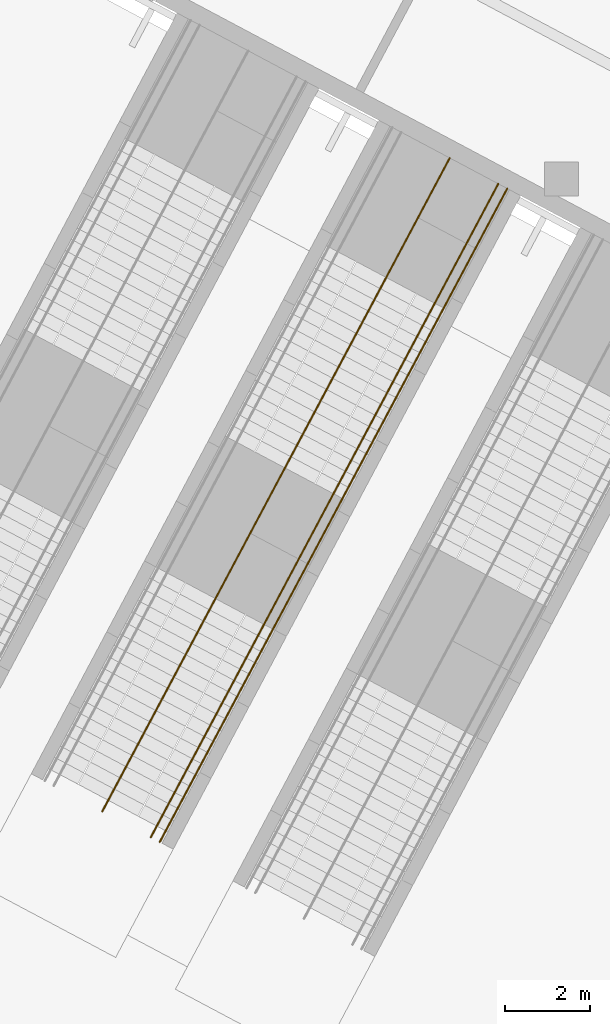
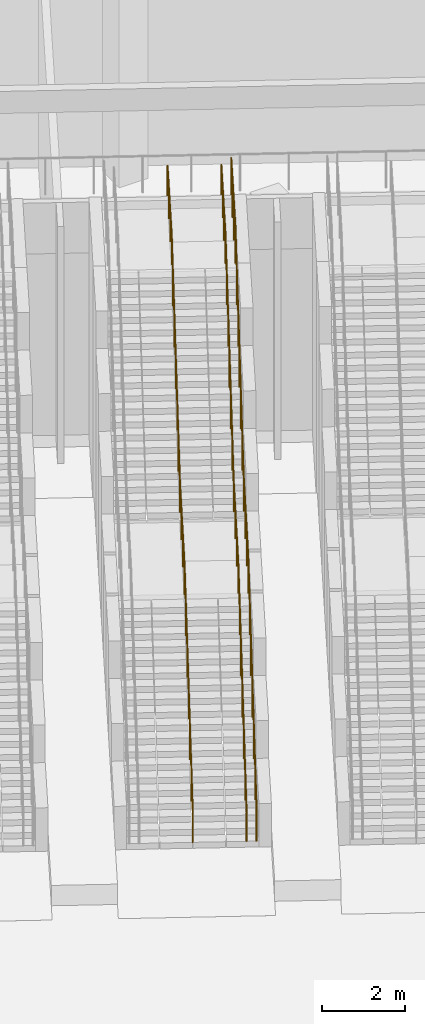
# One storey, part 37 of 57: 3 railings.
"""IFC4 building model written with IfcOpenShell, lengths in metres."""

import ifcopenshell
import ifcopenshell.guid

model = None  # the IFC model being written
_history = None  # IfcOwnerHistory: only IFC2X3 demands one
_inside = {}  # id of a spatial element -> (the spatial element, [elements in it])
_under = {}  # id of a project, library or spatial element -> (it, [spatial elements below it])
_declared = {}  # id of a project -> (the project, [libraries it declares])
_typed = {}  # id of a type object -> (the type object, [elements of that type])
_made_of = {}  # id of a material, layer set ... -> (it, [elements and type objects made of it])


def new_model(schema):
    """Start an empty IFC model of exactly this schema.

    Asked for "IFC4X3", IfcOpenShell would pick the latest addendum, in which some entities
    have other attributes; the version numbers below select the first issue.
    IFC2X3 requires an IfcOwnerHistory on every rooted entity: one is made here for all.
    """
    global model, _history
    if schema == "IFC4X3":
        model = ifcopenshell.file(schema_version=(4, 3, 0, 0))
    else:
        model = ifcopenshell.file(schema=schema)
    _inside.clear()
    _under.clear()
    _declared.clear()
    _typed.clear()
    _made_of.clear()
    _history = None
    if model.schema == "IFC2X3":
        org = make("IfcOrganization", Name="unknown")
        user = make(
            "IfcPersonAndOrganization",
            ThePerson=make("IfcPerson", FamilyName="unknown"),
            TheOrganization=org,
        )
        app = make(
            "IfcApplication",
            ApplicationDeveloper=org,
            Version="unknown",
            ApplicationFullName="unknown",
            ApplicationIdentifier="unknown",
        )
        _history = make(
            "IfcOwnerHistory",
            OwningUser=user,
            OwningApplication=app,
            ChangeAction="ADDED",
            CreationDate=0,
        )
    return model


def make(cls, **values):
    """One entity of the class cls with the attributes given. An attribute that is None is left unset."""
    return model.create_entity(
        cls, **{name: value for name, value in values.items() if value is not None}
    )


def rooted(cls, **values):
    """An entity with a GlobalId (a new one), such as an element, a storey or a relation."""
    return make(cls, GlobalId=ifcopenshell.guid.new(), OwnerHistory=_history, **values)


def si_unit(unit_type, name, prefix=None):
    """IfcSIUnit, for example si_unit("LENGTHUNIT", "METRE", prefix="MILLI")."""
    return make("IfcSIUnit", UnitType=unit_type, Prefix=prefix, Name=name)


def assignment(units):
    """IfcUnitAssignment: the units of a project."""
    return None if units is None else make("IfcUnitAssignment", Units=units)


def point(xyz):
    """IfcCartesianPoint."""
    return None if xyz is None else make("IfcCartesianPoint", Coordinates=xyz)


def direction(xyz):
    """IfcDirection."""
    return None if xyz is None else make("IfcDirection", DirectionRatios=xyz)


def frame(location, z_axis=None, x_axis=None):
    """IfcAxis2Placement3D, a coordinate frame: its origin and axes. An axis left out is left unset."""
    return make(
        "IfcAxis2Placement3D",
        Location=point(location),
        Axis=direction(z_axis),
        RefDirection=direction(x_axis),
    )


def origin():
    """The frame at (0, 0, 0) with its axes left unset."""
    return frame((0.0, 0.0, 0.0))


def place(relative_to, where):
    """IfcLocalPlacement: puts the frame where relative to a parent placement (None: the world)."""
    return make(
        "IfcLocalPlacement", PlacementRelTo=relative_to, RelativePlacement=where
    )


def context(
    kind, dimensions, precision=None, world=None, true_north=None, identifier=None
):
    """IfcGeometricRepresentationContext, for example the 3D "Model" context."""
    return make(
        "IfcGeometricRepresentationContext",
        ContextIdentifier=identifier,
        ContextType=kind,
        CoordinateSpaceDimension=dimensions,
        Precision=precision,
        WorldCoordinateSystem=world,
        TrueNorth=true_north,
    )


def subcontext(parent, identifier, kind, view, scale=None):
    """IfcGeometricRepresentationSubContext, for example "Body" below "Model"."""
    return make(
        "IfcGeometricRepresentationSubContext",
        ContextIdentifier=identifier,
        ContextType=kind,
        ParentContext=parent,
        TargetScale=scale,
        TargetView=view,
    )


def project(units=None, contexts=None):
    """IfcProject with its units and contexts."""
    return rooted(
        "IfcProject",
        Name="project",
        RepresentationContexts=contexts,
        UnitsInContext=assignment(units),
    )


def spatial(cls, under=None, at=None, **own):
    """A site, building, storey or space (cls), placed at a placement, below another one or the project."""
    s = rooted(cls, ObjectPlacement=at, **own)
    if under is not None:
        _under.setdefault(under.id(), (under, []))[1].append(s)
    return s


def polyline(points):
    """IfcPolyline through the points."""
    return make("IfcPolyline", Points=[point(p) for p in points])


def outline(outer, holes=None, kind="AREA"):
    """IfcArbitraryClosedProfileDef: a profile drawn as a closed curve; with holes, ...WithVoids."""
    if holes is None:
        return make("IfcArbitraryClosedProfileDef", ProfileType=kind, OuterCurve=outer)
    return make(
        "IfcArbitraryProfileDefWithVoids",
        ProfileType=kind,
        OuterCurve=outer,
        InnerCurves=holes,
    )


def extrude(swept, where, along, depth):
    """IfcExtrudedAreaSolid: the profile swept, set in the frame where, extruded along a direction by depth."""
    return make(
        "IfcExtrudedAreaSolid",
        SweptArea=swept,
        Position=where,
        ExtrudedDirection=direction(along),
        Depth=depth,
    )


def shape(context_of_items, identifier, shape_type, items):
    """IfcShapeRepresentation: the items that make up one representation, for example the "Body"."""
    return make(
        "IfcShapeRepresentation",
        ContextOfItems=context_of_items,
        RepresentationIdentifier=identifier,
        RepresentationType=shape_type,
        Items=items,
    )


def material(Name=None, Category=None):
    """IfcMaterial."""
    return make("IfcMaterial", Name=Name, Category=Category)


def made_of(thing, what):
    """Note that an element or type object is made of a material, layer set ...; save() writes the relation."""
    if what is not None:
        _made_of.setdefault(what.id(), (what, []))[1].append(thing)
    return thing


def type_object(cls, material=None, **own):
    """A type object (cls), such as IfcWallType, which elements share."""
    return made_of(rooted(cls, **own), material)


def element(
    cls,
    number,
    at=None,
    inside=None,
    cuts=None,
    type_object=None,
    material=None,
    context=None,
    identifier="Body",
    shape_type=None,
    held_by="IfcProductDefinitionShape",
    body=None,
    shapes=None,
    **own,
):
    """One element of the class cls, such as IfcWall. Its Tag is "e" and its number.

    at: its placement. inside: the storey or other place that contains it. cuts: it is an
    opening in that element (IfcRelVoidsElement). A single representation is given by context,
    identifier, shape_type and body (its items); several are given by shapes. held_by: the class
    of the entity that holds the representations. save() writes the other relations.
    """
    e = rooted(cls, Tag="e%d" % number, ObjectPlacement=at, **own)
    if body is not None:
        shapes = [shape(context, identifier, shape_type, body)]
    if shapes is not None:
        e.Representation = make(held_by, Representations=shapes)
    if inside is not None:
        _inside.setdefault(inside.id(), (inside, []))[1].append(e)
    if cuts is not None:
        rooted(
            "IfcRelVoidsElement", RelatingBuildingElement=cuts, RelatedOpeningElement=e
        )
    if type_object is not None:
        _typed.setdefault(type_object.id(), (type_object, []))[1].append(e)
    return made_of(e, material)


def aggregate(whole, parts):
    """IfcRelAggregates: a whole, such as a stair, and the parts it consists of."""
    return rooted("IfcRelAggregates", RelatingObject=whole, RelatedObjects=parts)


def save(model, path):
    """Write the relations noted so far, then the file.

    IfcRelAggregates (storeys below a building ...), IfcRelContainedInSpatialStructure (elements
    in a storey), IfcRelDefinesByType, IfcRelAssociatesMaterial and IfcRelDeclares: one each for
    every whole, place, type object, material and project.
    """
    for whole, parts in _under.values():
        aggregate(whole, parts)
    for where, things in _inside.values():
        rooted(
            "IfcRelContainedInSpatialStructure",
            RelatedElements=things,
            RelatingStructure=where,
        )
    for kind, things in _typed.values():
        rooted("IfcRelDefinesByType", RelatedObjects=things, RelatingType=kind)
    for what, things in _made_of.values():
        rooted("IfcRelAssociatesMaterial", RelatedObjects=things, RelatingMaterial=what)
    for by, libraries in _declared.values():
        rooted("IfcRelDeclares", RelatingContext=by, RelatedDefinitions=libraries)
    model.write(path)


model = new_model("IFC4")

# Units and contexts
model_context = context("Model", 3, precision=1e-05, world=origin(), true_north=direction((0.0, 1.0)))
body_context = subcontext(model_context, "Body", "Model", "MODEL_VIEW")
ifc_project = project(units=[si_unit("LENGTHUNIT", "METRE"), si_unit("AREAUNIT", "SQUARE_METRE"), si_unit("VOLUMEUNIT", "CUBIC_METRE"), si_unit("PLANEANGLEUNIT", "RADIAN"), si_unit("MASSUNIT", "GRAM", prefix="KILO")], contexts=[model_context])

# Site, building, storey
site_placement = place(None, origin())
site = spatial("IfcSite", under=ifc_project, at=site_placement, CompositionType="ELEMENT")
building_placement = place(site_placement, origin())
building = spatial("IfcBuilding", under=site, at=building_placement, Name="Cormorant Relay Tower", CompositionType="ELEMENT")
storey_placement = place(building_placement, origin())
storey = spatial("IfcBuildingStorey", under=building, at=storey_placement, Name="L00", CompositionType="ELEMENT", Elevation=0.0)

# Railings
ifc_material_1 = material(Name="Stainless steel 316", Category="steel")
railing_type_1 = type_object("IfcRailingType", Name="Podium stair handrail 900", PredefinedType="HANDRAIL", material=ifc_material_1)
railing_1_placement = place(storey_placement, frame((-31.13037109375, -20.822509765625, 7.0)))
element("IfcRailing", 1, at=railing_1_placement, inside=storey, type_object=railing_type_1, Name="Stair handrail", PredefinedType="HANDRAIL", context=body_context, shape_type="SweptSolid", body=[
    extrude(outline(polyline([(0.022216796875, 0.00927734375), (0.00927734375, 0.022216796875), (-0.00927734375, 0.022216796875), (-0.022216796875, 0.00927734375), (-0.022216796875, -0.00927734375), (-0.00927734375, -0.022216796875), (0.00927734375, -0.022216796875), (0.022216796875, -0.00927734375), (0.022216796875, 0.00927734375)])), frame((0.0, 0.0, 0.8759765625), z_axis=(-0.469499880774, -0.882932535335, 0.0), x_axis=(0.882932535335, -0.469499880774, 0.0)), (0.0, 0.0, 1.0), 2.900146484375),
    extrude(outline(polyline([(0.022216796875, 0.00927734375), (0.00927734375, 0.022216796875), (-0.00927734375, 0.022216796875), (-0.022216796875, 0.00927734375), (-0.022216796875, -0.00927734375), (-0.00927734375, -0.022216796875), (0.00927734375, -0.022216796875), (0.022216796875, -0.00927734375), (0.022216796875, 0.00927734375)])), frame((-1.361572265625, -2.560546875, 0.8759765625), z_axis=(-0.40552993965, -0.762667108471, -0.50386937762), x_axis=(0.882941524652, -0.469482975245, 0.0)), (0.0, 0.0, 1.0), 6.598876953125),
    extrude(outline(polyline([(0.022216796875, 0.00927734375), (0.00927734375, 0.022216796875), (-0.00927734375, 0.022216796875), (-0.022216796875, 0.00927734375), (-0.022216796875, -0.00927734375), (-0.00927734375, -0.022216796875), (0.00927734375, -0.022216796875), (0.022216796875, -0.00927734375), (0.022216796875, 0.00927734375)])), frame((-4.03759765625, -7.59326171875, -2.44921875), z_axis=(-0.468742586737, -0.881644394004, -0.054621881146), x_axis=(0.88296255937, -0.469443413791, 0.0)), (0.0, 0.0, 1.0), 3.204833984375),
    extrude(outline(polyline([(0.022216796875, 0.00927734375), (0.00927734375, 0.022216796875), (-0.00927734375, 0.022216796875), (-0.022216796875, 0.00927734375), (-0.022216796875, -0.00927734375), (-0.00927734375, -0.022216796875), (0.00927734375, -0.022216796875), (0.022216796875, -0.00927734375), (0.022216796875, 0.00927734375)])), frame((-5.539794921875, -10.418701171875, -2.6240234375), z_axis=(-0.40552993965, -0.762667108471, -0.50386937762), x_axis=(0.882941524652, -0.469482975245, 0.0)), (0.0, 0.0, 1.0), 6.598876953125),
    extrude(outline(polyline([(0.019287109375, 0.008056640625), (0.008056640625, 0.019287109375), (-0.008056640625, 0.019287109375), (-0.019287109375, 0.008056640625), (-0.019287109375, -0.008056640625), (-0.008056640625, -0.019287109375), (0.008056640625, -0.019287109375), (0.019287109375, -0.008056640625), (0.019287109375, 0.008056640625)])), origin(), (0.0, 0.0, 1.0), 0.851806640625),
    extrude(outline(polyline([(0.019287109375, 0.008056640625), (0.008056640625, 0.019287109375), (-0.008056640625, 0.019287109375), (-0.019287109375, 0.008056640625), (-0.019287109375, -0.008056640625), (-0.008056640625, -0.019287109375), (0.008056640625, -0.019287109375), (0.019287109375, -0.008056640625), (0.019287109375, 0.008056640625)])), frame((-0.453857421875, -0.853515625, 0.0)), (0.0, 0.0, 1.0), 0.851806640625),
    extrude(outline(polyline([(0.019287109375, 0.008056640625), (0.008056640625, 0.019287109375), (-0.008056640625, 0.019287109375), (-0.019287109375, 0.008056640625), (-0.019287109375, -0.008056640625), (-0.008056640625, -0.019287109375), (0.008056640625, -0.019287109375), (0.019287109375, -0.008056640625), (0.019287109375, 0.008056640625)])), frame((-0.90771484375, -1.70703125, 0.0)), (0.0, 0.0, 1.0), 0.851806640625),
    extrude(outline(polyline([(0.019287109375, 0.008056640625), (0.008056640625, 0.019287109375), (-0.008056640625, 0.019287109375), (-0.019287109375, 0.008056640625), (-0.019287109375, -0.008056640625), (-0.008056640625, -0.019287109375), (0.008056640625, -0.019287109375), (0.019287109375, -0.008056640625), (0.019287109375, 0.008056640625)])), frame((-1.361572265625, -2.560546875, 0.0)), (0.0, 0.0, 1.0), 0.851806640625),
    extrude(outline(polyline([(0.019287109375, 0.008056640625), (0.008056640625, 0.019287109375), (-0.008056640625, 0.019287109375), (-0.019287109375, 0.008056640625), (-0.019287109375, -0.008056640625), (-0.008056640625, -0.019287109375), (0.008056640625, -0.019287109375), (0.019287109375, -0.008056640625), (0.019287109375, 0.008056640625)])), frame((-1.8076171875, -3.3994140625, -0.55419921875)), (0.0, 0.0, 1.0), 0.851806640625),
    extrude(outline(polyline([(0.019287109375, 0.008056640625), (0.008056640625, 0.019287109375), (-0.008056640625, 0.019287109375), (-0.019287109375, 0.008056640625), (-0.019287109375, -0.008056640625), (-0.008056640625, -0.019287109375), (0.008056640625, -0.019287109375), (0.019287109375, -0.008056640625), (0.019287109375, 0.008056640625)])), frame((-2.253662109375, -4.238037109375, -1.1083984375)), (0.0, 0.0, 1.0), 0.851806640625),
    extrude(outline(polyline([(0.019287109375, 0.008056640625), (0.008056640625, 0.019287109375), (-0.008056640625, 0.019287109375), (-0.019287109375, 0.008056640625), (-0.019287109375, -0.008056640625), (-0.008056640625, -0.019287109375), (0.008056640625, -0.019287109375), (0.019287109375, -0.008056640625), (0.019287109375, 0.008056640625)])), frame((-2.69970703125, -5.076904296875, -1.66259765625)), (0.0, 0.0, 1.0), 0.851806640625),
    extrude(outline(polyline([(0.019287109375, 0.008056640625), (0.008056640625, 0.019287109375), (-0.008056640625, 0.019287109375), (-0.019287109375, 0.008056640625), (-0.019287109375, -0.008056640625), (-0.008056640625, -0.019287109375), (0.008056640625, -0.019287109375), (0.019287109375, -0.008056640625), (0.019287109375, 0.008056640625)])), frame((-3.1455078125, -5.915771484375, -2.216552734375)), (0.0, 0.0, 1.0), 0.851806640625),
    extrude(outline(polyline([(0.019287109375, 0.008056640625), (0.008056640625, 0.019287109375), (-0.008056640625, 0.019287109375), (-0.019287109375, 0.008056640625), (-0.019287109375, -0.008056640625), (-0.008056640625, -0.019287109375), (0.008056640625, -0.019287109375), (0.019287109375, -0.008056640625), (0.019287109375, 0.008056640625)])), frame((-3.591552734375, -6.75439453125, -2.770751953125)), (0.0, 0.0, 1.0), 0.851806640625),
    extrude(outline(polyline([(0.019287109375, 0.008056640625), (0.008056640625, 0.019287109375), (-0.008056640625, 0.019287109375), (-0.019287109375, 0.008056640625), (-0.019287109375, -0.008056640625), (-0.008056640625, -0.019287109375), (0.008056640625, -0.019287109375), (0.019287109375, -0.008056640625), (0.019287109375, 0.008056640625)])), frame((-4.03759765625, -7.59326171875, -3.324951171875)), (0.0, 0.0, 1.0), 0.851806640625),
    extrude(outline(polyline([(0.019287109375, 0.008056640625), (0.008056640625, 0.019287109375), (-0.008056640625, 0.019287109375), (-0.019287109375, 0.008056640625), (-0.019287109375, -0.008056640625), (-0.008056640625, -0.019287109375), (0.008056640625, -0.019287109375), (0.019287109375, -0.008056640625), (0.019287109375, 0.008056640625)])), frame((-4.538330078125, -8.53515625, -3.38330078125)), (0.0, 0.0, 1.0), 0.851806640625),
    extrude(outline(polyline([(0.019287109375, 0.008056640625), (0.008056640625, 0.019287109375), (-0.008056640625, 0.019287109375), (-0.019287109375, 0.008056640625), (-0.019287109375, -0.008056640625), (-0.008056640625, -0.019287109375), (0.008056640625, -0.019287109375), (0.019287109375, -0.008056640625), (0.019287109375, 0.008056640625)])), frame((-5.0390625, -9.476806640625, -3.441650390625)), (0.0, 0.0, 1.0), 0.851806640625),
    extrude(outline(polyline([(0.019287109375, 0.008056640625), (0.008056640625, 0.019287109375), (-0.008056640625, 0.019287109375), (-0.019287109375, 0.008056640625), (-0.019287109375, -0.008056640625), (-0.008056640625, -0.019287109375), (0.008056640625, -0.019287109375), (0.019287109375, -0.008056640625), (0.019287109375, 0.008056640625)])), frame((-5.539794921875, -10.418701171875, -3.5)), (0.0, 0.0, 1.0), 0.851806640625),
    extrude(outline(polyline([(0.019287109375, 0.008056640625), (0.008056640625, 0.019287109375), (-0.008056640625, 0.019287109375), (-0.019287109375, 0.008056640625), (-0.019287109375, -0.008056640625), (-0.008056640625, -0.019287109375), (0.008056640625, -0.019287109375), (0.019287109375, -0.008056640625), (0.019287109375, 0.008056640625)])), frame((-5.98583984375, -11.257568359375, -4.05419921875)), (0.0, 0.0, 1.0), 0.851806640625),
    extrude(outline(polyline([(0.019287109375, 0.008056640625), (0.008056640625, 0.019287109375), (-0.008056640625, 0.019287109375), (-0.019287109375, 0.008056640625), (-0.019287109375, -0.008056640625), (-0.008056640625, -0.019287109375), (0.008056640625, -0.019287109375), (0.019287109375, -0.008056640625), (0.019287109375, 0.008056640625)])), frame((-6.431884765625, -12.09619140625, -4.6083984375)), (0.0, 0.0, 1.0), 0.851806640625),
    extrude(outline(polyline([(0.019287109375, 0.008056640625), (0.008056640625, 0.019287109375), (-0.008056640625, 0.019287109375), (-0.019287109375, 0.008056640625), (-0.019287109375, -0.008056640625), (-0.008056640625, -0.019287109375), (0.008056640625, -0.019287109375), (0.019287109375, -0.008056640625), (0.019287109375, 0.008056640625)])), frame((-6.8779296875, -12.93505859375, -5.16259765625)), (0.0, 0.0, 1.0), 0.851806640625),
    extrude(outline(polyline([(0.019287109375, 0.008056640625), (0.008056640625, 0.019287109375), (-0.008056640625, 0.019287109375), (-0.019287109375, 0.008056640625), (-0.019287109375, -0.008056640625), (-0.008056640625, -0.019287109375), (0.008056640625, -0.019287109375), (0.019287109375, -0.008056640625), (0.019287109375, 0.008056640625)])), frame((-7.32373046875, -13.77392578125, -5.716552734375)), (0.0, 0.0, 1.0), 0.851806640625),
    extrude(outline(polyline([(0.019287109375, 0.008056640625), (0.008056640625, 0.019287109375), (-0.008056640625, 0.019287109375), (-0.019287109375, 0.008056640625), (-0.019287109375, -0.008056640625), (-0.008056640625, -0.019287109375), (0.008056640625, -0.019287109375), (0.019287109375, -0.008056640625), (0.019287109375, 0.008056640625)])), frame((-7.769775390625, -14.612548828125, -6.270751953125)), (0.0, 0.0, 1.0), 0.851806640625),
    extrude(outline(polyline([(0.019287109375, 0.008056640625), (0.008056640625, 0.019287109375), (-0.008056640625, 0.019287109375), (-0.019287109375, 0.008056640625), (-0.019287109375, -0.008056640625), (-0.008056640625, -0.019287109375), (0.008056640625, -0.019287109375), (0.019287109375, -0.008056640625), (0.019287109375, 0.008056640625)])), frame((-8.2158203125, -15.451416015625, -6.824951171875)), (0.0, 0.0, 1.0), 0.851806640625),
])
railing_2_placement = place(storey_placement, frame((-29.982666015625, -21.432861328125, 7.0)))
element("IfcRailing", 2, at=railing_2_placement, inside=storey, type_object=railing_type_1, Name="Stair handrail", PredefinedType="HANDRAIL", context=body_context, shape_type="SweptSolid", body=[
    extrude(outline(polyline([(0.022216796875, 0.00927734375), (0.00927734375, 0.022216796875), (-0.00927734375, 0.022216796875), (-0.022216796875, 0.00927734375), (-0.022216796875, -0.00927734375), (-0.00927734375, -0.022216796875), (0.00927734375, -0.022216796875), (0.022216796875, -0.00927734375), (0.022216796875, 0.00927734375)])), frame((0.0, 0.0, 0.8759765625), z_axis=(-0.469434248776, -0.882967432059, 0.0), x_axis=(0.882967432059, -0.469434248776, 0.0)), (0.0, 0.0, 1.0), 2.89990234375),
    extrude(outline(polyline([(0.022216796875, 0.00927734375), (0.00927734375, 0.022216796875), (-0.00927734375, 0.022216796875), (-0.022216796875, 0.00927734375), (-0.022216796875, -0.00927734375), (-0.00927734375, -0.022216796875), (0.00927734375, -0.022216796875), (0.022216796875, -0.00927734375), (0.022216796875, 0.00927734375)])), frame((-1.361328125, -2.560546875, 0.8759765625), z_axis=(-0.40552993965, -0.762667108471, -0.50386937762), x_axis=(0.882941524652, -0.469482975245, 0.0)), (0.0, 0.0, 1.0), 6.598876953125),
    extrude(outline(polyline([(0.022216796875, 0.00927734375), (0.00927734375, 0.022216796875), (-0.00927734375, 0.022216796875), (-0.022216796875, 0.00927734375), (-0.022216796875, -0.00927734375), (-0.00927734375, -0.022216796875), (0.00927734375, -0.022216796875), (0.022216796875, -0.00927734375), (0.022216796875, 0.00927734375)])), frame((-4.037353515625, -7.59326171875, -2.44921875), z_axis=(-0.468802026207, -0.881612910187, -0.05461993058), x_axis=(0.88293093413, -0.469502891958, 0.0)), (0.0, 0.0, 1.0), 3.204833984375),
    extrude(outline(polyline([(0.022216796875, 0.00927734375), (0.00927734375, 0.022216796875), (-0.00927734375, 0.022216796875), (-0.022216796875, 0.00927734375), (-0.022216796875, -0.00927734375), (-0.00927734375, -0.022216796875), (0.00927734375, -0.022216796875), (0.022216796875, -0.00927734375), (0.022216796875, 0.00927734375)])), frame((-5.539794921875, -10.418701171875, -2.6240234375), z_axis=(-0.4055184971, -0.762682585322, -0.503855160296), x_axis=(0.882950964929, -0.46946522079, 0.0)), (0.0, 0.0, 1.0), 6.59912109375),
    extrude(outline(polyline([(0.019287109375, 0.008056640625), (0.008056640625, 0.019287109375), (-0.008056640625, 0.019287109375), (-0.019287109375, 0.008056640625), (-0.019287109375, -0.008056640625), (-0.008056640625, -0.019287109375), (0.008056640625, -0.019287109375), (0.019287109375, -0.008056640625), (0.019287109375, 0.008056640625)])), origin(), (0.0, 0.0, 1.0), 0.851806640625),
    extrude(outline(polyline([(0.019287109375, 0.008056640625), (0.008056640625, 0.019287109375), (-0.008056640625, 0.019287109375), (-0.019287109375, 0.008056640625), (-0.019287109375, -0.008056640625), (-0.008056640625, -0.019287109375), (0.008056640625, -0.019287109375), (0.019287109375, -0.008056640625), (0.019287109375, 0.008056640625)])), frame((-0.453857421875, -0.853515625, 0.0)), (0.0, 0.0, 1.0), 0.851806640625),
    extrude(outline(polyline([(0.019287109375, 0.008056640625), (0.008056640625, 0.019287109375), (-0.008056640625, 0.019287109375), (-0.019287109375, 0.008056640625), (-0.019287109375, -0.008056640625), (-0.008056640625, -0.019287109375), (0.008056640625, -0.019287109375), (0.019287109375, -0.008056640625), (0.019287109375, 0.008056640625)])), frame((-0.907470703125, -1.70703125, 0.0)), (0.0, 0.0, 1.0), 0.851806640625),
    extrude(outline(polyline([(0.019287109375, 0.008056640625), (0.008056640625, 0.019287109375), (-0.008056640625, 0.019287109375), (-0.019287109375, 0.008056640625), (-0.019287109375, -0.008056640625), (-0.008056640625, -0.019287109375), (0.008056640625, -0.019287109375), (0.019287109375, -0.008056640625), (0.019287109375, 0.008056640625)])), frame((-1.361328125, -2.560546875, 0.0)), (0.0, 0.0, 1.0), 0.851806640625),
    extrude(outline(polyline([(0.019287109375, 0.008056640625), (0.008056640625, 0.019287109375), (-0.008056640625, 0.019287109375), (-0.019287109375, 0.008056640625), (-0.019287109375, -0.008056640625), (-0.008056640625, -0.019287109375), (0.008056640625, -0.019287109375), (0.019287109375, -0.008056640625), (0.019287109375, 0.008056640625)])), frame((-1.807373046875, -3.3994140625, -0.55419921875)), (0.0, 0.0, 1.0), 0.851806640625),
    extrude(outline(polyline([(0.019287109375, 0.008056640625), (0.008056640625, 0.019287109375), (-0.008056640625, 0.019287109375), (-0.019287109375, 0.008056640625), (-0.019287109375, -0.008056640625), (-0.008056640625, -0.019287109375), (0.008056640625, -0.019287109375), (0.019287109375, -0.008056640625), (0.019287109375, 0.008056640625)])), frame((-2.25341796875, -4.238037109375, -1.1083984375)), (0.0, 0.0, 1.0), 0.851806640625),
    extrude(outline(polyline([(0.019287109375, 0.008056640625), (0.008056640625, 0.019287109375), (-0.008056640625, 0.019287109375), (-0.019287109375, 0.008056640625), (-0.019287109375, -0.008056640625), (-0.008056640625, -0.019287109375), (0.008056640625, -0.019287109375), (0.019287109375, -0.008056640625), (0.019287109375, 0.008056640625)])), frame((-2.69921875, -5.076904296875, -1.66259765625)), (0.0, 0.0, 1.0), 0.851806640625),
    extrude(outline(polyline([(0.019287109375, 0.008056640625), (0.008056640625, 0.019287109375), (-0.008056640625, 0.019287109375), (-0.019287109375, 0.008056640625), (-0.019287109375, -0.008056640625), (-0.008056640625, -0.019287109375), (0.008056640625, -0.019287109375), (0.019287109375, -0.008056640625), (0.019287109375, 0.008056640625)])), frame((-3.145263671875, -5.915771484375, -2.216552734375)), (0.0, 0.0, 1.0), 0.851806640625),
    extrude(outline(polyline([(0.019287109375, 0.008056640625), (0.008056640625, 0.019287109375), (-0.008056640625, 0.019287109375), (-0.019287109375, 0.008056640625), (-0.019287109375, -0.008056640625), (-0.008056640625, -0.019287109375), (0.008056640625, -0.019287109375), (0.019287109375, -0.008056640625), (0.019287109375, 0.008056640625)])), frame((-3.59130859375, -6.75439453125, -2.770751953125)), (0.0, 0.0, 1.0), 0.851806640625),
    extrude(outline(polyline([(0.019287109375, 0.008056640625), (0.008056640625, 0.019287109375), (-0.008056640625, 0.019287109375), (-0.019287109375, 0.008056640625), (-0.019287109375, -0.008056640625), (-0.008056640625, -0.019287109375), (0.008056640625, -0.019287109375), (0.019287109375, -0.008056640625), (0.019287109375, 0.008056640625)])), frame((-4.037353515625, -7.59326171875, -3.324951171875)), (0.0, 0.0, 1.0), 0.851806640625),
    extrude(outline(polyline([(0.019287109375, 0.008056640625), (0.008056640625, 0.019287109375), (-0.008056640625, 0.019287109375), (-0.019287109375, 0.008056640625), (-0.019287109375, -0.008056640625), (-0.008056640625, -0.019287109375), (0.008056640625, -0.019287109375), (0.019287109375, -0.008056640625), (0.019287109375, 0.008056640625)])), frame((-4.5380859375, -8.53515625, -3.38330078125)), (0.0, 0.0, 1.0), 0.851806640625),
    extrude(outline(polyline([(0.019287109375, 0.008056640625), (0.008056640625, 0.019287109375), (-0.008056640625, 0.019287109375), (-0.019287109375, 0.008056640625), (-0.019287109375, -0.008056640625), (-0.008056640625, -0.019287109375), (0.008056640625, -0.019287109375), (0.019287109375, -0.008056640625), (0.019287109375, 0.008056640625)])), frame((-5.0390625, -9.476806640625, -3.441650390625)), (0.0, 0.0, 1.0), 0.851806640625),
    extrude(outline(polyline([(0.019287109375, 0.008056640625), (0.008056640625, 0.019287109375), (-0.008056640625, 0.019287109375), (-0.019287109375, 0.008056640625), (-0.019287109375, -0.008056640625), (-0.008056640625, -0.019287109375), (0.008056640625, -0.019287109375), (0.019287109375, -0.008056640625), (0.019287109375, 0.008056640625)])), frame((-5.539794921875, -10.418701171875, -3.5)), (0.0, 0.0, 1.0), 0.851806640625),
    extrude(outline(polyline([(0.019287109375, 0.008056640625), (0.008056640625, 0.019287109375), (-0.008056640625, 0.019287109375), (-0.019287109375, 0.008056640625), (-0.019287109375, -0.008056640625), (-0.008056640625, -0.019287109375), (0.008056640625, -0.019287109375), (0.019287109375, -0.008056640625), (0.019287109375, 0.008056640625)])), frame((-5.98583984375, -11.257568359375, -4.05419921875)), (0.0, 0.0, 1.0), 0.851806640625),
    extrude(outline(polyline([(0.019287109375, 0.008056640625), (0.008056640625, 0.019287109375), (-0.008056640625, 0.019287109375), (-0.019287109375, 0.008056640625), (-0.019287109375, -0.008056640625), (-0.008056640625, -0.019287109375), (0.008056640625, -0.019287109375), (0.019287109375, -0.008056640625), (0.019287109375, 0.008056640625)])), frame((-6.431884765625, -12.096435546875, -4.6083984375)), (0.0, 0.0, 1.0), 0.851806640625),
    extrude(outline(polyline([(0.019287109375, 0.008056640625), (0.008056640625, 0.019287109375), (-0.008056640625, 0.019287109375), (-0.019287109375, 0.008056640625), (-0.019287109375, -0.008056640625), (-0.008056640625, -0.019287109375), (0.008056640625, -0.019287109375), (0.019287109375, -0.008056640625), (0.019287109375, 0.008056640625)])), frame((-6.8779296875, -12.93505859375, -5.16259765625)), (0.0, 0.0, 1.0), 0.851806640625),
    extrude(outline(polyline([(0.019287109375, 0.008056640625), (0.008056640625, 0.019287109375), (-0.008056640625, 0.019287109375), (-0.019287109375, 0.008056640625), (-0.019287109375, -0.008056640625), (-0.008056640625, -0.019287109375), (0.008056640625, -0.019287109375), (0.019287109375, -0.008056640625), (0.019287109375, 0.008056640625)])), frame((-7.32373046875, -13.77392578125, -5.716552734375)), (0.0, 0.0, 1.0), 0.851806640625),
    extrude(outline(polyline([(0.019287109375, 0.008056640625), (0.008056640625, 0.019287109375), (-0.008056640625, 0.019287109375), (-0.019287109375, 0.008056640625), (-0.019287109375, -0.008056640625), (-0.008056640625, -0.019287109375), (0.008056640625, -0.019287109375), (0.019287109375, -0.008056640625), (0.019287109375, 0.008056640625)])), frame((-7.769775390625, -14.61279296875, -6.270751953125)), (0.0, 0.0, 1.0), 0.851806640625),
    extrude(outline(polyline([(0.019287109375, 0.008056640625), (0.008056640625, 0.019287109375), (-0.008056640625, 0.019287109375), (-0.019287109375, 0.008056640625), (-0.019287109375, -0.008056640625), (-0.008056640625, -0.019287109375), (0.008056640625, -0.019287109375), (0.019287109375, -0.008056640625), (0.019287109375, 0.008056640625)])), frame((-8.2158203125, -15.45166015625, -6.824951171875)), (0.0, 0.0, 1.0), 0.851806640625),
])
ifc_material_2 = material(Name="Bronze anodised aluminium", Category="aluminium")
railing_type_2 = type_object("IfcRailingType", Name="Stair guard steel 1100", PredefinedType="GUARDRAIL", material=ifc_material_2)
railing_3_placement = place(storey_placement, frame((-29.770751953125, -21.54541015625, 7.0)))
element("IfcRailing", 3, at=railing_3_placement, inside=storey, type_object=railing_type_2, Name="Stair guard", PredefinedType="GUARDRAIL", context=body_context, shape_type="SweptSolid", body=[
    extrude(outline(polyline([(0.022216796875, 0.00927734375), (0.00927734375, 0.022216796875), (-0.00927734375, 0.022216796875), (-0.022216796875, 0.00927734375), (-0.022216796875, -0.00927734375), (-0.00927734375, -0.022216796875), (0.00927734375, -0.022216796875), (0.022216796875, -0.00927734375), (0.022216796875, 0.00927734375)])), frame((0.0, 0.0, 1.076171875), z_axis=(-0.469434248776, -0.882967432059, 0.0), x_axis=(0.882967432059, -0.469434248776, 0.0)), (0.0, 0.0, 1.0), 2.89990234375),
    extrude(outline(polyline([(0.022216796875, 0.00927734375), (0.00927734375, 0.022216796875), (-0.00927734375, 0.022216796875), (-0.022216796875, 0.00927734375), (-0.022216796875, -0.00927734375), (-0.00927734375, -0.022216796875), (0.00927734375, -0.022216796875), (0.022216796875, -0.00927734375), (0.022216796875, 0.00927734375)])), frame((-1.361328125, -2.560546875, 1.076171875), z_axis=(-0.4055184971, -0.762682585322, -0.503855160296), x_axis=(0.882950964929, -0.46946522079, 0.0)), (0.0, 0.0, 1.0), 6.59912109375),
    extrude(outline(polyline([(0.022216796875, 0.00927734375), (0.00927734375, 0.022216796875), (-0.00927734375, 0.022216796875), (-0.022216796875, 0.00927734375), (-0.022216796875, -0.00927734375), (-0.00927734375, -0.022216796875), (0.00927734375, -0.022216796875), (0.022216796875, -0.00927734375), (0.022216796875, 0.00927734375)])), frame((-4.037353515625, -7.593505859375, -2.2490234375), z_axis=(-0.468833512707, -0.881595939072, -0.054623599059), x_axis=(0.882914115089, -0.469534519898, 0.0)), (0.0, 0.0, 1.0), 3.20458984375),
    extrude(outline(polyline([(0.022216796875, 0.00927734375), (0.00927734375, 0.022216796875), (-0.00927734375, 0.022216796875), (-0.022216796875, 0.00927734375), (-0.022216796875, -0.00927734375), (-0.00927734375, -0.022216796875), (0.00927734375, -0.022216796875), (0.022216796875, -0.00927734375), (0.022216796875, 0.00927734375)])), frame((-5.539794921875, -10.418701171875, -2.423828125), z_axis=(-0.4055184971, -0.762682585322, -0.503855160296), x_axis=(0.882950964929, -0.46946522079, 0.0)), (0.0, 0.0, 1.0), 6.59912109375),
    extrude(outline(polyline([(0.019287109375, 0.008056640625), (0.008056640625, 0.019287109375), (-0.008056640625, 0.019287109375), (-0.019287109375, 0.008056640625), (-0.019287109375, -0.008056640625), (-0.008056640625, -0.019287109375), (0.008056640625, -0.019287109375), (0.019287109375, -0.008056640625), (0.019287109375, 0.008056640625)])), origin(), (0.0, 0.0, 1.0), 1.052001953125),
    extrude(outline(polyline([(0.019287109375, 0.008056640625), (0.008056640625, 0.019287109375), (-0.008056640625, 0.019287109375), (-0.019287109375, 0.008056640625), (-0.019287109375, -0.008056640625), (-0.008056640625, -0.019287109375), (0.008056640625, -0.019287109375), (0.019287109375, -0.008056640625), (0.019287109375, 0.008056640625)])), frame((-0.453857421875, -0.853515625, 0.0)), (0.0, 0.0, 1.0), 1.052001953125),
    extrude(outline(polyline([(0.019287109375, 0.008056640625), (0.008056640625, 0.019287109375), (-0.008056640625, 0.019287109375), (-0.019287109375, 0.008056640625), (-0.019287109375, -0.008056640625), (-0.008056640625, -0.019287109375), (0.008056640625, -0.019287109375), (0.019287109375, -0.008056640625), (0.019287109375, 0.008056640625)])), frame((-0.907470703125, -1.70703125, 0.0)), (0.0, 0.0, 1.0), 1.052001953125),
    extrude(outline(polyline([(0.019287109375, 0.008056640625), (0.008056640625, 0.019287109375), (-0.008056640625, 0.019287109375), (-0.019287109375, 0.008056640625), (-0.019287109375, -0.008056640625), (-0.008056640625, -0.019287109375), (0.008056640625, -0.019287109375), (0.019287109375, -0.008056640625), (0.019287109375, 0.008056640625)])), frame((-1.361328125, -2.560546875, 0.0)), (0.0, 0.0, 1.0), 1.052001953125),
    extrude(outline(polyline([(0.019287109375, 0.008056640625), (0.008056640625, 0.019287109375), (-0.008056640625, 0.019287109375), (-0.019287109375, 0.008056640625), (-0.019287109375, -0.008056640625), (-0.008056640625, -0.019287109375), (0.008056640625, -0.019287109375), (0.019287109375, -0.008056640625), (0.019287109375, 0.008056640625)])), frame((-1.807373046875, -3.3994140625, -0.55419921875)), (0.0, 0.0, 1.0), 1.052001953125),
    extrude(outline(polyline([(0.019287109375, 0.008056640625), (0.008056640625, 0.019287109375), (-0.008056640625, 0.019287109375), (-0.019287109375, 0.008056640625), (-0.019287109375, -0.008056640625), (-0.008056640625, -0.019287109375), (0.008056640625, -0.019287109375), (0.019287109375, -0.008056640625), (0.019287109375, 0.008056640625)])), frame((-2.25341796875, -4.23828125, -1.1083984375)), (0.0, 0.0, 1.0), 1.052001953125),
    extrude(outline(polyline([(0.019287109375, 0.008056640625), (0.008056640625, 0.019287109375), (-0.008056640625, 0.019287109375), (-0.019287109375, 0.008056640625), (-0.019287109375, -0.008056640625), (-0.008056640625, -0.019287109375), (0.008056640625, -0.019287109375), (0.019287109375, -0.008056640625), (0.019287109375, 0.008056640625)])), frame((-2.69921875, -5.0771484375, -1.66259765625)), (0.0, 0.0, 1.0), 1.052001953125),
    extrude(outline(polyline([(0.019287109375, 0.008056640625), (0.008056640625, 0.019287109375), (-0.008056640625, 0.019287109375), (-0.019287109375, 0.008056640625), (-0.019287109375, -0.008056640625), (-0.008056640625, -0.019287109375), (0.008056640625, -0.019287109375), (0.019287109375, -0.008056640625), (0.019287109375, 0.008056640625)])), frame((-3.145263671875, -5.915771484375, -2.216552734375)), (0.0, 0.0, 1.0), 1.052001953125),
    extrude(outline(polyline([(0.019287109375, 0.008056640625), (0.008056640625, 0.019287109375), (-0.008056640625, 0.019287109375), (-0.019287109375, 0.008056640625), (-0.019287109375, -0.008056640625), (-0.008056640625, -0.019287109375), (0.008056640625, -0.019287109375), (0.019287109375, -0.008056640625), (0.019287109375, 0.008056640625)])), frame((-3.59130859375, -6.754638671875, -2.770751953125)), (0.0, 0.0, 1.0), 1.052001953125),
    extrude(outline(polyline([(0.019287109375, 0.008056640625), (0.008056640625, 0.019287109375), (-0.008056640625, 0.019287109375), (-0.019287109375, 0.008056640625), (-0.019287109375, -0.008056640625), (-0.008056640625, -0.019287109375), (0.008056640625, -0.019287109375), (0.019287109375, -0.008056640625), (0.019287109375, 0.008056640625)])), frame((-4.037353515625, -7.593505859375, -3.324951171875)), (0.0, 0.0, 1.0), 1.052001953125),
    extrude(outline(polyline([(0.019287109375, 0.008056640625), (0.008056640625, 0.019287109375), (-0.008056640625, 0.019287109375), (-0.019287109375, 0.008056640625), (-0.019287109375, -0.008056640625), (-0.008056640625, -0.019287109375), (0.008056640625, -0.019287109375), (0.019287109375, -0.008056640625), (0.019287109375, 0.008056640625)])), frame((-4.5380859375, -8.53515625, -3.38330078125)), (0.0, 0.0, 1.0), 1.052001953125),
    extrude(outline(polyline([(0.019287109375, 0.008056640625), (0.008056640625, 0.019287109375), (-0.008056640625, 0.019287109375), (-0.019287109375, 0.008056640625), (-0.019287109375, -0.008056640625), (-0.008056640625, -0.019287109375), (0.008056640625, -0.019287109375), (0.019287109375, -0.008056640625), (0.019287109375, 0.008056640625)])), frame((-5.0390625, -9.47705078125, -3.441650390625)), (0.0, 0.0, 1.0), 1.052001953125),
    extrude(outline(polyline([(0.019287109375, 0.008056640625), (0.008056640625, 0.019287109375), (-0.008056640625, 0.019287109375), (-0.019287109375, 0.008056640625), (-0.019287109375, -0.008056640625), (-0.008056640625, -0.019287109375), (0.008056640625, -0.019287109375), (0.019287109375, -0.008056640625), (0.019287109375, 0.008056640625)])), frame((-5.539794921875, -10.418701171875, -3.5)), (0.0, 0.0, 1.0), 1.052001953125),
    extrude(outline(polyline([(0.019287109375, 0.008056640625), (0.008056640625, 0.019287109375), (-0.008056640625, 0.019287109375), (-0.019287109375, 0.008056640625), (-0.019287109375, -0.008056640625), (-0.008056640625, -0.019287109375), (0.008056640625, -0.019287109375), (0.019287109375, -0.008056640625), (0.019287109375, 0.008056640625)])), frame((-5.98583984375, -11.257568359375, -4.05419921875)), (0.0, 0.0, 1.0), 1.052001953125),
    extrude(outline(polyline([(0.019287109375, 0.008056640625), (0.008056640625, 0.019287109375), (-0.008056640625, 0.019287109375), (-0.019287109375, 0.008056640625), (-0.019287109375, -0.008056640625), (-0.008056640625, -0.019287109375), (0.008056640625, -0.019287109375), (0.019287109375, -0.008056640625), (0.019287109375, 0.008056640625)])), frame((-6.431884765625, -12.096435546875, -4.6083984375)), (0.0, 0.0, 1.0), 1.052001953125),
    extrude(outline(polyline([(0.019287109375, 0.008056640625), (0.008056640625, 0.019287109375), (-0.008056640625, 0.019287109375), (-0.019287109375, 0.008056640625), (-0.019287109375, -0.008056640625), (-0.008056640625, -0.019287109375), (0.008056640625, -0.019287109375), (0.019287109375, -0.008056640625), (0.019287109375, 0.008056640625)])), frame((-6.8779296875, -12.93505859375, -5.16259765625)), (0.0, 0.0, 1.0), 1.052001953125),
    extrude(outline(polyline([(0.019287109375, 0.008056640625), (0.008056640625, 0.019287109375), (-0.008056640625, 0.019287109375), (-0.019287109375, 0.008056640625), (-0.019287109375, -0.008056640625), (-0.008056640625, -0.019287109375), (0.008056640625, -0.019287109375), (0.019287109375, -0.008056640625), (0.019287109375, 0.008056640625)])), frame((-7.32373046875, -13.77392578125, -5.716552734375)), (0.0, 0.0, 1.0), 1.052001953125),
    extrude(outline(polyline([(0.019287109375, 0.008056640625), (0.008056640625, 0.019287109375), (-0.008056640625, 0.019287109375), (-0.019287109375, 0.008056640625), (-0.019287109375, -0.008056640625), (-0.008056640625, -0.019287109375), (0.008056640625, -0.019287109375), (0.019287109375, -0.008056640625), (0.019287109375, 0.008056640625)])), frame((-7.769775390625, -14.61279296875, -6.270751953125)), (0.0, 0.0, 1.0), 1.052001953125),
    extrude(outline(polyline([(0.019287109375, 0.008056640625), (0.008056640625, 0.019287109375), (-0.008056640625, 0.019287109375), (-0.019287109375, 0.008056640625), (-0.019287109375, -0.008056640625), (-0.008056640625, -0.019287109375), (0.008056640625, -0.019287109375), (0.019287109375, -0.008056640625), (0.019287109375, 0.008056640625)])), frame((-8.2158203125, -15.45166015625, -6.824951171875)), (0.0, 0.0, 1.0), 1.052001953125),
])

save(model, "model.ifc")
